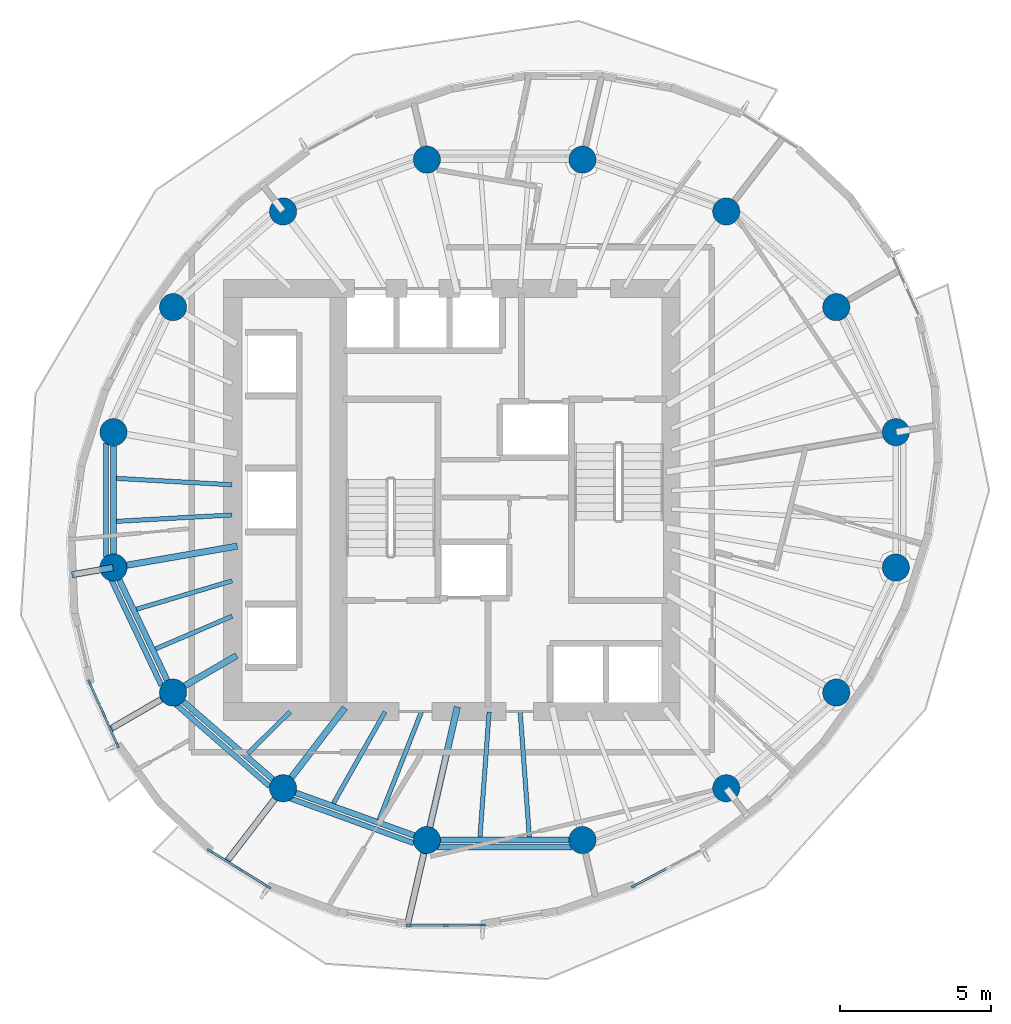
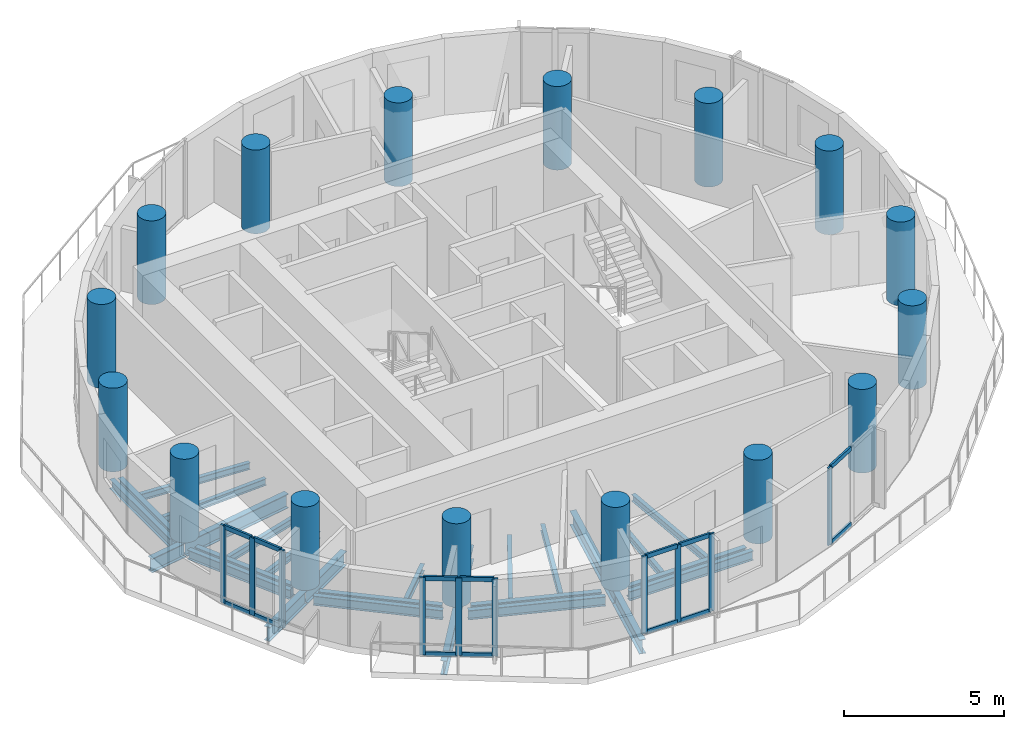
# One storey, part 1 of 10: 27 beams, 24 members, 16 columns, 4 elements without a shape of their own.
"""IFC4 building model written with IfcOpenShell, lengths in metres."""

from ifc_helpers import new_model, si_unit, direction, frame, origin, origin_2d, place, context, subcontext, project, spatial, rectangle, circle, i_section, extrude, material, material_profile, profile_set, type_object, element, aggregate, save


model = new_model("IFC4")

# Units and contexts
model_context = context("Model", 3, precision=1e-05, world=origin(), true_north=direction((0.0, 1.0)))
body_context = subcontext(model_context, "Body", "Model", "MODEL_VIEW")
ifc_project = project(units=[si_unit("LENGTHUNIT", "METRE"), si_unit("AREAUNIT", "SQUARE_METRE"), si_unit("VOLUMEUNIT", "CUBIC_METRE"), si_unit("PLANEANGLEUNIT", "RADIAN"), si_unit("MASSUNIT", "GRAM", prefix="KILO")], contexts=[model_context])

# Site, building, storey
site_placement = place(None, origin())
site = spatial("IfcSite", under=ifc_project, at=site_placement, CompositionType="ELEMENT")
building_placement = place(site_placement, origin())
building = spatial("IfcBuilding", under=site, at=building_placement, Name="Veldorim Arch Residences", CompositionType="ELEMENT")
storey_placement = place(building_placement, frame((0.0, 0.0, 166.239990234375)))
storey = spatial("IfcBuildingStorey", under=building, at=storey_placement, Name="L49", CompositionType="ELEMENT", Elevation=166.239990234375)

# Columns
ifc_material_1 = material(Name="Concrete C50/60", Category="concrete")
ifc_material_profile_1 = material_profile(ifc_material_1, circle(Radius=0.449951171875, at=origin_2d()), Name="RC_CIRC_900")
ifc_profile_set_1 = profile_set([ifc_material_profile_1], Name="Concrete C50/60")
column_type = type_object("IfcColumnType", Name="Structural Column RC_CIRC_900", PredefinedType="COLUMN", material=ifc_profile_set_1)
for number, where, z_axis, x_axis, name in (
    (1, (44.9462890625, 26.239501953125, 0.0), (0.0, 0.0, 1.0), (1.0, 0.0, 0.0), "L49 TC-Z4-01 perimeter column"),
    (2, (42.975341796875, 30.3779296875, 0.0), (0.0, 0.0, 1.0), (1.0, 0.0, 0.0), "L49 TC-Z4-02 perimeter column"),
    (3, (39.33349609375, 33.54541015625, 0.0), (0.0, 0.0, 1.0), (1.0, 0.0, 0.0), "L49 TC-Z4-03 perimeter column"),
    (4, (34.5751953125, 35.259521484375, 0.0), (0.0, 0.0, 1.0), (1.0, 0.0, 0.0), "L49 TC-Z4-04 perimeter column"),
    (5, (29.4248046875, 35.259521484375, 0.0), (0.0, 0.0, 1.0), (1.0, 0.0, 0.0), "L49 TC-Z4-05 perimeter column"),
    (6, (24.66650390625, 33.54541015625, 0.0), (0.0, 0.0, 1.0), (1.0, 0.0, 0.0), "L49 TC-Z4-06 perimeter column"),
    (7, (21.024658203125, 30.3779296875, 0.0), (0.0, 0.0, 1.0), (1.0, 0.0, 0.0), "L49 TC-Z4-07 perimeter column"),
    (8, (19.0537109375, 26.239501953125, 0.0), (0.0, 0.0, 1.0), (1.0, 0.0, 0.0), "L49 TC-Z4-08 perimeter column"),
    (9, (19.0537109375, 21.760498046875, 0.0), (0.0, 0.0, 1.0), (1.0, 0.0, 0.0), "L49 TC-Z4-09 perimeter column"),
    (10, (21.024658203125, 17.6220703125, 0.0), (0.0, 0.0, 1.0), (1.0, 0.0, 0.0), "L49 TC-Z4-10 perimeter column"),
    (11, (24.66650390625, 14.45458984375, 0.0), (0.0, 0.0, 1.0), (1.0, 0.0, 0.0), "L49 TC-Z4-11 perimeter column"),
    (12, (29.4248046875, 12.740478515625, 0.0), (0.0, 0.0, 1.0), (1.0, 0.0, 0.0), "L49 TC-Z4-12 perimeter column"),
    (13, (34.5751953125, 12.740478515625, 0.0), (0.0, 0.0, 1.0), (1.0, 0.0, 0.0), "L49 TC-Z4-13 perimeter column"),
    (14, (39.33349609375, 14.45458984375, 0.0), (0.0, 0.0, 1.0), (1.0, 0.0, 0.0), "L49 TC-Z4-14 perimeter column"),
    (15, (42.975341796875, 17.6220703125, 0.0), (0.0, 0.0, 1.0), (1.0, 0.0, 0.0), "L49 TC-Z4-15 perimeter column"),
    (16, (44.9462890625, 21.760498046875, 0.0), (0.0, 0.0, 1.0), (1.0, 0.0, 0.0), "L49 TC-Z4-16 perimeter column"),
):
    element("IfcColumn", number, at=place(storey_placement, frame(where, z_axis=z_axis, x_axis=x_axis)), inside=storey, type_object=column_type, Name=name, PredefinedType="COLUMN", context=body_context, shape_type="SweptSolid", body=[
        extrude(circle(Radius=0.449951171875, at=origin_2d()), origin(), (0.0, 0.0, 1.0), 3.199951171875),
    ])

# Beams
ifc_material_2 = material(Name="Steel S355", Category="steel")
ifc_material_profile_2 = material_profile(ifc_material_2, i_section(OverallWidth=0.2119140625, OverallDepth=0.54443359375, WebThickness=0.0126953125, FlangeThickness=0.021240234375, at=origin_2d()), Name="UB533x210x122")
ifc_profile_set_2 = profile_set([ifc_material_profile_2], Name="Steel S355")
beam_type_1 = type_object("IfcBeamType", Name="Structural Steel Beam UB533x210x122", PredefinedType="BEAM", material=ifc_profile_set_2)
beam_1_placement = place(storey_placement, frame((23.147705078125, 22.46875, -0.51220703125), z_axis=(-0.985365193997, -0.170456547131, 0.0), x_axis=(0.170456547131, -0.985365193997, 0.0)))
element("IfcBeam", 17, at=beam_1_placement, inside=storey, type_object=beam_type_1, Name="L49 radial floor girder 09", PredefinedType="BEAM", context=body_context, shape_type="SweptSolid", body=[
    extrude(i_section(OverallWidth=0.2119140625, OverallDepth=0.54443359375, WebThickness=0.0126953125, FlangeThickness=0.021240234375, at=origin_2d()), origin(), (0.0, 0.0, 1.0), 4.135009765625),
])
beam_2_placement = place(storey_placement, frame((19.033935546875, 21.757080078125, -0.51220703125), z_axis=(-0.985349360006, -0.170548054035, 0.0), x_axis=(0.170548054035, -0.985349360006, 0.0)))
element("IfcBeam", 18, at=beam_2_placement, inside=storey, type_object=beam_type_1, Name="L49 radial edge cantilever girder 09", PredefinedType="BEAM", context=body_context, shape_type="SweptSolid", body=[
    extrude(i_section(OverallWidth=0.2119140625, OverallDepth=0.54443359375, WebThickness=0.0126953125, FlangeThickness=0.021240234375, at=origin_2d()), origin(), (0.0, 0.0, 1.0), 1.377197265625),
])
beam_3_placement = place(storey_placement, frame((23.129638671875, 18.845458984375, -0.51220703125), z_axis=(-0.86457358994, -0.502506226407, 0.0), x_axis=(0.502506226407, -0.86457358994, 0.0)))
element("IfcBeam", 19, at=beam_3_placement, inside=storey, type_object=beam_type_1, Name="L49 radial floor girder 10", PredefinedType="BEAM", context=body_context, shape_type="SweptSolid", body=[
    extrude(i_section(OverallWidth=0.2119140625, OverallDepth=0.54443359375, WebThickness=0.0126953125, FlangeThickness=0.021240234375, at=origin_2d()), origin(), (0.0, 0.0, 1.0), 2.41455078125),
])
beam_4_placement = place(storey_placement, frame((21.00732421875, 17.612060546875, -0.51220703125), z_axis=(-0.864610127671, -0.502443357135, 0.0), x_axis=(0.502443357135, -0.864610127671, 0.0)))
element("IfcBeam", 20, at=beam_4_placement, inside=storey, type_object=beam_type_1, Name="L49 radial edge cantilever girder 10", PredefinedType="BEAM", context=body_context, shape_type="SweptSolid", body=[
    extrude(i_section(OverallWidth=0.2119140625, OverallDepth=0.54443359375, WebThickness=0.0126953125, FlangeThickness=0.021240234375, at=origin_2d()), origin(), (0.0, 0.0, 1.0), 2.372314453125),
])
beam_5_placement = place(storey_placement, frame((26.71337890625, 17.118896484375, -0.51220703125), z_axis=(-0.609258442308, -0.792971721108, 0.0), x_axis=(0.792971721108, -0.609258442308, 0.0)))
element("IfcBeam", 21, at=beam_5_placement, inside=storey, type_object=beam_type_1, Name="L49 radial floor girder 11", PredefinedType="BEAM", context=body_context, shape_type="SweptSolid", body=[
    extrude(i_section(OverallWidth=0.2119140625, OverallDepth=0.54443359375, WebThickness=0.0126953125, FlangeThickness=0.021240234375, at=origin_2d()), origin(), (0.0, 0.0, 1.0), 3.339599609375),
])
beam_6_placement = place(storey_placement, frame((24.654296875, 14.438720703125, -0.51220703125), z_axis=(-0.609245785417, -0.792981445528, 0.0), x_axis=(0.792981445528, -0.609245785417, 0.0)))
element("IfcBeam", 22, at=beam_6_placement, inside=storey, type_object=beam_type_1, Name="L49 radial edge cantilever girder 11", PredefinedType="BEAM", context=body_context, shape_type="SweptSolid", body=[
    extrude(i_section(OverallWidth=0.2119140625, OverallDepth=0.54443359375, WebThickness=0.0126953125, FlangeThickness=0.021240234375, at=origin_2d()), origin(), (0.0, 0.0, 1.0), 3.020263671875),
])
beam_7_placement = place(storey_placement, frame((30.432373046875, 17.146240234375, -0.51220703125), z_axis=(-0.222952976993, -0.97482920045, 0.0), x_axis=(0.97482920045, -0.222952976993, 0.0)))
element("IfcBeam", 23, at=beam_7_placement, inside=storey, type_object=beam_type_1, Name="L49 radial floor girder 12", PredefinedType="BEAM", context=body_context, shape_type="SweptSolid", body=[
    extrude(i_section(OverallWidth=0.2119140625, OverallDepth=0.54443359375, WebThickness=0.0126953125, FlangeThickness=0.021240234375, at=origin_2d()), origin(), (0.0, 0.0, 1.0), 4.49951171875),
])
beam_8_placement = place(storey_placement, frame((29.42041015625, 12.72119140625, -0.51220703125), z_axis=(-0.222975521586, -0.974824044007, 0.0), x_axis=(0.974824044007, -0.222975521586, 0.0)))
element("IfcBeam", 24, at=beam_8_placement, inside=storey, type_object=beam_type_1, Name="L49 radial edge cantilever girder 12", PredefinedType="BEAM", context=body_context, shape_type="SweptSolid", body=[
    extrude(i_section(OverallWidth=0.2119140625, OverallDepth=0.54443359375, WebThickness=0.0126953125, FlangeThickness=0.021240234375, at=origin_2d()), origin(), (0.0, 0.0, 1.0), 2.85888671875),
])
ifc_material_3 = material(Name="Steel S355", Category="steel")
ifc_material_profile_3 = material_profile(ifc_material_3, i_section(OverallWidth=0.146484375, OverallDepth=0.256103515625, WebThickness=0.00634765625, FlangeThickness=0.010986328125, at=origin_2d()), Name="UB254x146x37")
ifc_profile_set_3 = profile_set([ifc_material_profile_3], Name="Steel S355")
beam_type_2 = type_object("IfcBeamType", Name="Structural Steel Joist UB254x146x37", PredefinedType="JOIST", material=ifc_profile_set_3)
for number, where, z_axis, x_axis, name in (
    (25, (22.97998046875, 24.499267578125, -0.367919921875), (-0.998470527429, 0.055286579345, 0.0), (-0.055286579345, -0.998470527429, 0.0), "L49 secondary radial floor joist 08-1"),
    (26, (22.97998046875, 23.500732421875, -0.367919921875), (-0.998470527429, -0.055286579345, 0.0), (0.055286579345, -0.998470527429, 0.0), "L49 secondary radial floor joist 08-2"),
):
    element("IfcBeam", number, at=place(storey_placement, frame(where, z_axis=z_axis, x_axis=x_axis)), inside=storey, type_object=beam_type_2, Name=name, PredefinedType="JOIST", context=body_context, shape_type="SweptSolid", body=[
        extrude(i_section(OverallWidth=0.146484375, OverallDepth=0.256103515625, WebThickness=0.00634765625, FlangeThickness=0.010986328125, at=origin_2d()), origin(), (0.0, 0.0, 1.0), 3.8330078125),
    ])
beam_9_placement = place(storey_placement, frame((22.980712890625, 21.32080078125, -0.367919921875), z_axis=(-0.958596993625, -0.284766226601, 0.0), x_axis=(0.284766226601, -0.958596993625, 0.0)))
element("IfcBeam", 27, at=beam_9_placement, inside=storey, type_object=beam_type_2, Name="L49 secondary radial floor joist 09-1", PredefinedType="JOIST", context=body_context, shape_type="SweptSolid", body=[
    extrude(i_section(OverallWidth=0.146484375, OverallDepth=0.256103515625, WebThickness=0.00634765625, FlangeThickness=0.010986328125, at=origin_2d()), origin(), (0.0, 0.0, 1.0), 3.298095703125),
])
beam_10_placement = place(storey_placement, frame((22.981689453125, 20.150390625, -0.367919921875), z_axis=(-0.919739383422, -0.392529574151, 0.0), x_axis=(0.392529574151, -0.919739383422, 0.0)))
element("IfcBeam", 28, at=beam_10_placement, inside=storey, type_object=beam_type_2, Name="L49 secondary radial floor joist 09-2", PredefinedType="JOIST", context=body_context, shape_type="SweptSolid", body=[
    extrude(i_section(OverallWidth=0.146484375, OverallDepth=0.256103515625, WebThickness=0.00634765625, FlangeThickness=0.010986328125, at=origin_2d()), origin(), (0.0, 0.0, 1.0), 2.757080078125),
])
beam_11_placement = place(storey_placement, frame((24.900390625, 16.98583984375, -0.367919921875), z_axis=(-0.71143147135, -0.702755477797, 0.0), x_axis=(0.702755477797, -0.71143147135, 0.0)))
element("IfcBeam", 29, at=beam_11_placement, inside=storey, type_object=beam_type_2, Name="L49 secondary radial floor joist 10-2", PredefinedType="JOIST", context=body_context, shape_type="SweptSolid", body=[
    extrude(i_section(OverallWidth=0.146484375, OverallDepth=0.256103515625, WebThickness=0.00634765625, FlangeThickness=0.010986328125, at=origin_2d()), origin(), (0.0, 0.0, 1.0), 1.9697265625),
])
beam_12_placement = place(storey_placement, frame((28.039794921875, 16.982666015625, -0.367919921875), z_axis=(-0.491452469585, -0.870904397818, 0.0), x_axis=(0.870904397818, -0.491452469585, 0.0)))
element("IfcBeam", 30, at=beam_12_placement, inside=storey, type_object=beam_type_2, Name="L49 secondary radial floor joist 11-1", PredefinedType="JOIST", context=body_context, shape_type="SweptSolid", body=[
    extrude(i_section(OverallWidth=0.146484375, OverallDepth=0.256103515625, WebThickness=0.00634765625, FlangeThickness=0.010986328125, at=origin_2d()), origin(), (0.0, 0.0, 1.0), 3.472412109375),
])
beam_13_placement = place(storey_placement, frame((29.24365234375, 16.9814453125, -0.367919921875), z_axis=(-0.365581383042, -0.930779379001, 0.0), x_axis=(0.930779379001, -0.365581383042, 0.0)))
element("IfcBeam", 31, at=beam_13_placement, inside=storey, type_object=beam_type_2, Name="L49 secondary radial floor joist 11-2", PredefinedType="JOIST", context=body_context, shape_type="SweptSolid", body=[
    extrude(i_section(OverallWidth=0.146484375, OverallDepth=0.256103515625, WebThickness=0.00634765625, FlangeThickness=0.010986328125, at=origin_2d()), origin(), (0.0, 0.0, 1.0), 3.83056640625),
])
for number, where, z_axis, x_axis, name in (
    (32, (31.486083984375, 16.97998046875, -0.367919921875), (-0.072985625899, -0.997332992742, 0.0), (0.997332992742, -0.072985625899, 0.0), "L49 secondary radial floor joist 12-1"),
    (33, (32.513916015625, 16.97998046875, -0.367919921875), (0.072985625899, -0.997332992742, 0.0), (0.997332992742, 0.072985625899, 0.0), "L49 secondary radial floor joist 12-2"),
):
    element("IfcBeam", number, at=place(storey_placement, frame(where, z_axis=z_axis, x_axis=x_axis)), inside=storey, type_object=beam_type_2, Name=name, PredefinedType="JOIST", context=body_context, shape_type="SweptSolid", body=[
        extrude(i_section(OverallWidth=0.146484375, OverallDepth=0.256103515625, WebThickness=0.00634765625, FlangeThickness=0.010986328125, at=origin_2d()), origin(), (0.0, 0.0, 1.0), 4.151123046875),
    ])
ifc_material_4 = material(Name="Steel S355", Category="steel")
ifc_material_profile_4 = material_profile(ifc_material_4, i_section(OverallWidth=0.172119140625, OverallDepth=0.35791015625, WebThickness=0.008056640625, FlangeThickness=0.012939453125, at=origin_2d()), Name="UB356x171x57")
ifc_profile_set_4 = profile_set([ifc_material_profile_4], Name="Steel S355")
beam_type_3 = type_object("IfcBeamType", Name="Structural Steel Spandrel UB356x171x57", PredefinedType="SPANDREL", material=ifc_profile_set_4)
beam_14_placement = place(storey_placement, frame((18.809814453125, 25.8857421875, -0.43896484375), z_axis=(0.0, -1.0, 0.0), x_axis=(1.0, 0.0, 0.0)))
element("IfcBeam", 34, at=beam_14_placement, inside=storey, type_object=beam_type_3, Name="L49 perimeter chord spandrel beam 08", PredefinedType="SPANDREL", context=body_context, shape_type="SweptSolid", body=[
    extrude(i_section(OverallWidth=0.172119140625, OverallDepth=0.35791015625, WebThickness=0.008056640625, FlangeThickness=0.012939453125, at=origin_2d()), origin(), (0.0, 0.0, 1.0), 3.771484375),
])
beam_15_placement = place(storey_placement, frame((18.9794921875, 21.3603515625, -0.43896484375), z_axis=(0.428408308939, -0.903585259304, 0.0), x_axis=(0.903585259304, 0.428408308939, 0.0)))
element("IfcBeam", 35, at=beam_15_placement, inside=storey, type_object=beam_type_3, Name="L49 perimeter chord spandrel beam 09", PredefinedType="SPANDREL", context=body_context, shape_type="SweptSolid", body=[
    extrude(i_section(OverallWidth=0.172119140625, OverallDepth=0.35791015625, WebThickness=0.008056640625, FlangeThickness=0.012939453125, at=origin_2d()), origin(), (0.0, 0.0, 1.0), 3.878662109375),
])
beam_16_placement = place(storey_placement, frame((21.108642578125, 17.237060546875, -0.43896484375), z_axis=(0.752847646119, -0.6581948205, 0.0), x_axis=(0.6581948205, 0.752847646119, 0.0)))
element("IfcBeam", 36, at=beam_16_placement, inside=storey, type_object=beam_type_3, Name="L49 perimeter chord spandrel beam 10", PredefinedType="SPANDREL", context=body_context, shape_type="SweptSolid", body=[
    extrude(i_section(OverallWidth=0.172119140625, OverallDepth=0.35791015625, WebThickness=0.008056640625, FlangeThickness=0.012939453125, at=origin_2d()), origin(), (0.0, 0.0, 1.0), 4.12939453125),
])
beam_17_placement = place(storey_placement, frame((24.887939453125, 14.12353515625, -0.43896484375), z_axis=(0.940164695555, -0.340720332871, 0.0), x_axis=(0.340720332871, 0.940164695555, 0.0)))
element("IfcBeam", 37, at=beam_17_placement, inside=storey, type_object=beam_type_3, Name="L49 perimeter chord spandrel beam 11", PredefinedType="SPANDREL", context=body_context, shape_type="SweptSolid", body=[
    extrude(i_section(OverallWidth=0.172119140625, OverallDepth=0.35791015625, WebThickness=0.008056640625, FlangeThickness=0.012939453125, at=origin_2d()), origin(), (0.0, 0.0, 1.0), 4.370849609375),
])
beam_18_placement = place(storey_placement, frame((29.765625, 12.499267578125, -0.43896484375), z_axis=(1.0, 0.0, 0.0), x_axis=(0.0, 1.0, 0.0)))
element("IfcBeam", 38, at=beam_18_placement, inside=storey, type_object=beam_type_3, Name="L49 perimeter chord spandrel beam 12", PredefinedType="SPANDREL", context=body_context, shape_type="SweptSolid", body=[
    extrude(i_section(OverallWidth=0.172119140625, OverallDepth=0.35791015625, WebThickness=0.008056640625, FlangeThickness=0.012939453125, at=origin_2d()), origin(), (0.0, 0.0, 1.0), 4.46875),
])
ifc_material_5 = material(Name="Steel S355", Category="steel")
ifc_material_profile_5 = material_profile(ifc_material_5, i_section(OverallWidth=0.19140625, OverallDepth=0.4599609375, WebThickness=0.010009765625, FlangeThickness=0.01611328125, at=origin_2d()), Name="UB457x191x82")
ifc_profile_set_5 = profile_set([ifc_material_profile_5], Name="Steel S355")
beam_type_4 = type_object("IfcBeamType", Name="Structural Steel Spandrel UB457x191x82", PredefinedType="SPANDREL", material=ifc_profile_set_5)
beam_19_placement = place(storey_placement, frame((19.0537109375, 25.78955078125, -0.469970703125), z_axis=(0.0, -1.0, 0.0), x_axis=(1.0, 0.0, 0.0)))
element("IfcBeam", 39, at=beam_19_placement, inside=storey, type_object=beam_type_4, Name="L49 perimeter ring tie beam 08", PredefinedType="SPANDREL", context=body_context, shape_type="SweptSolid", body=[
    extrude(i_section(OverallWidth=0.19140625, OverallDepth=0.4599609375, WebThickness=0.010009765625, FlangeThickness=0.01611328125, at=origin_2d()), origin(), (0.0, 0.0, 1.0), 3.5791015625),
])
beam_20_placement = place(storey_placement, frame((19.2470703125, 21.35400390625, -0.469970703125), z_axis=(0.430005613988, -0.902826213586, 0.0), x_axis=(0.902826213586, 0.430005613988, 0.0)))
element("IfcBeam", 40, at=beam_20_placement, inside=storey, type_object=beam_type_4, Name="L49 perimeter ring tie beam 09", PredefinedType="SPANDREL", context=body_context, shape_type="SweptSolid", body=[
    extrude(i_section(OverallWidth=0.19140625, OverallDepth=0.4599609375, WebThickness=0.010009765625, FlangeThickness=0.01611328125, at=origin_2d()), origin(), (0.0, 0.0, 1.0), 3.68359375),
])
beam_21_placement = place(storey_placement, frame((21.364013671875, 17.326904296875, -0.469970703125), z_axis=(0.754545285701, -0.656247980436, 0.0), x_axis=(0.656247980436, 0.754545285701, 0.0)))
element("IfcBeam", 41, at=beam_21_placement, inside=storey, type_object=beam_type_4, Name="L49 perimeter ring tie beam 10", PredefinedType="SPANDREL", context=body_context, shape_type="SweptSolid", body=[
    extrude(i_section(OverallWidth=0.19140625, OverallDepth=0.4599609375, WebThickness=0.010009765625, FlangeThickness=0.01611328125, at=origin_2d()), origin(), (0.0, 0.0, 1.0), 3.9267578125),
])
beam_22_placement = place(storey_placement, frame((25.08984375, 14.30224609375, -0.469970703125), z_axis=(0.940811035395, -0.338931550137, 0.0), x_axis=(0.338931550137, 0.940811035395, 0.0)))
element("IfcBeam", 42, at=beam_22_placement, inside=storey, type_object=beam_type_4, Name="L49 perimeter ring tie beam 11", PredefinedType="SPANDREL", context=body_context, shape_type="SweptSolid", body=[
    extrude(i_section(OverallWidth=0.19140625, OverallDepth=0.4599609375, WebThickness=0.010009765625, FlangeThickness=0.01611328125, at=origin_2d()), origin(), (0.0, 0.0, 1.0), 4.15771484375),
])
beam_23_placement = place(storey_placement, frame((29.874755859375, 12.740478515625, -0.469970703125), z_axis=(1.0, 0.0, 0.0), x_axis=(0.0, 1.0, 0.0)))
element("IfcBeam", 43, at=beam_23_placement, inside=storey, type_object=beam_type_4, Name="L49 perimeter ring tie beam 12", PredefinedType="SPANDREL", context=body_context, shape_type="SweptSolid", body=[
    extrude(i_section(OverallWidth=0.19140625, OverallDepth=0.4599609375, WebThickness=0.010009765625, FlangeThickness=0.01611328125, at=origin_2d()), origin(), (0.0, 0.0, 1.0), 4.25048828125),
])

# Curtain wall, members
ifc_material_6 = material(Name="Aluminium", Category="aluminium")
curtain_wall_type = type_object("IfcCurtainWallType", Name="Zone 4 High-Altitude Unitised Curtain Wall", PredefinedType="NOTDEFINED", material=ifc_material_6)
curtain_wall_1_placement = place(storey_placement, origin())
curtain_wall_1 = element("IfcCurtainWall", 44, at=curtain_wall_1_placement, inside=storey, type_object=curtain_wall_type, Name="L49 unitised curtain wall bay 17", PredefinedType="NOTDEFINED")
ifc_material_7 = material(Name="Aluminium", Category="aluminium")
ifc_material_profile_6 = material_profile(ifc_material_7, rectangle(XDim=0.074951171875, YDim=0.195068359375, at=origin_2d()), Name="ALU_MUL_75x195")
ifc_profile_set_6 = profile_set([ifc_material_profile_6], Name="Aluminium")
member_type_1 = type_object("IfcMemberType", Name="Zone 4 High-Altitude Unitised Curtain Wall Mullion 75x195", PredefinedType="MULLION", material=ifc_profile_set_6)
member_1_placement = place(storey_placement, frame((19.185791015625, 15.882568359375, 0.0), z_axis=(0.0, 0.0, 1.0), x_axis=(-0.913308311578, -0.407268864514, 0.0)))
member_1 = element("IfcMember", 45, at=member_1_placement, type_object=member_type_1, Name="CW-Z4 mullion 1", PredefinedType="MULLION", context=body_context, shape_type="SweptSolid", body=[
    extrude(rectangle(XDim=0.074951171875, YDim=0.195068359375, at=origin_2d()), origin(), (0.0, 0.0, 1.0), 2.9599609375),
])
member_2_placement = place(storey_placement, frame((18.72314453125, 16.919921875, 0.0), z_axis=(0.0, 0.0, 1.0), x_axis=(-0.913308311578, -0.407268864514, 0.0)))
member_2 = element("IfcMember", 46, at=member_2_placement, type_object=member_type_1, Name="CW-Z4 mullion 2", PredefinedType="MULLION", context=body_context, shape_type="SweptSolid", body=[
    extrude(rectangle(XDim=0.074951171875, YDim=0.195068359375, at=origin_2d()), origin(), (0.0, 0.0, 1.0), 2.9599609375),
])
member_3_placement = place(storey_placement, frame((18.260498046875, 17.957275390625, 0.0), z_axis=(0.0, 0.0, 1.0), x_axis=(-0.913308311578, -0.407268864514, 0.0)))
member_3 = element("IfcMember", 47, at=member_3_placement, type_object=member_type_1, Name="CW-Z4 mullion 3", PredefinedType="MULLION", context=body_context, shape_type="SweptSolid", body=[
    extrude(rectangle(XDim=0.074951171875, YDim=0.195068359375, at=origin_2d()), origin(), (0.0, 0.0, 1.0), 2.9599609375),
])

curtain_wall_2_placement = place(storey_placement, origin())
curtain_wall_2 = element("IfcCurtainWall", 48, at=curtain_wall_2_placement, inside=storey, type_object=curtain_wall_type, Name="L49 unitised curtain wall bay 20", PredefinedType="NOTDEFINED")
member_4_placement = place(storey_placement, frame((24.17529296875, 11.19140625, 0.0), z_axis=(0.0, 0.0, 1.0), x_axis=(-0.525637112191, -0.850708896326, 0.0)))
member_4 = element("IfcMember", 49, at=member_4_placement, type_object=member_type_1, Name="CW-Z4 mullion 1", PredefinedType="MULLION", context=body_context, shape_type="SweptSolid", body=[
    extrude(rectangle(XDim=0.074951171875, YDim=0.195068359375, at=origin_2d()), origin(), (0.0, 0.0, 1.0), 2.9599609375),
])
member_5_placement = place(storey_placement, frame((23.208984375, 11.78857421875, 0.0), z_axis=(0.0, 0.0, 1.0), x_axis=(-0.525637112191, -0.850708896326, 0.0)))
member_5 = element("IfcMember", 50, at=member_5_placement, type_object=member_type_1, Name="CW-Z4 mullion 2", PredefinedType="MULLION", context=body_context, shape_type="SweptSolid", body=[
    extrude(rectangle(XDim=0.074951171875, YDim=0.195068359375, at=origin_2d()), origin(), (0.0, 0.0, 1.0), 2.9599609375),
])
member_6_placement = place(storey_placement, frame((22.24267578125, 12.385498046875, 0.0), z_axis=(0.0, 0.0, 1.0), x_axis=(-0.525637112191, -0.850708896326, 0.0)))
member_6 = element("IfcMember", 51, at=member_6_placement, type_object=member_type_1, Name="CW-Z4 mullion 3", PredefinedType="MULLION", context=body_context, shape_type="SweptSolid", body=[
    extrude(rectangle(XDim=0.074951171875, YDim=0.195068359375, at=origin_2d()), origin(), (0.0, 0.0, 1.0), 2.9599609375),
])

curtain_wall_3_placement = place(storey_placement, origin())
curtain_wall_3 = element("IfcCurtainWall", 52, at=curtain_wall_3_placement, inside=storey, type_object=curtain_wall_type, Name="L49 unitised curtain wall bay 23", PredefinedType="NOTDEFINED")
member_7_placement = place(storey_placement, frame((31.26416015625, 9.926513671875, 0.0), z_axis=(0.0, 0.0, 1.0), x_axis=(0.002677634077, -0.999996415131, 0.0)))
member_7 = element("IfcMember", 53, at=member_7_placement, type_object=member_type_1, Name="CW-Z4 mullion 1", PredefinedType="MULLION", context=body_context, shape_type="SweptSolid", body=[
    extrude(rectangle(XDim=0.074951171875, YDim=0.195068359375, at=origin_2d()), origin(), (0.0, 0.0, 1.0), 2.9599609375),
])
member_8_placement = place(storey_placement, frame((30.050537109375, 9.92333984375, 0.0), z_axis=(0.0, 0.0, 1.0), x_axis=(0.002677634077, -0.999996415131, 0.0)))
member_8 = element("IfcMember", 54, at=member_8_placement, type_object=member_type_1, Name="CW-Z4 mullion 2", PredefinedType="MULLION", context=body_context, shape_type="SweptSolid", body=[
    extrude(rectangle(XDim=0.074951171875, YDim=0.195068359375, at=origin_2d()), origin(), (0.0, 0.0, 1.0), 2.9599609375),
])
member_9_placement = place(storey_placement, frame((28.8369140625, 9.919921875, 0.0), z_axis=(0.0, 0.0, 1.0), x_axis=(0.002677634077, -0.999996415131, 0.0)))
member_9 = element("IfcMember", 55, at=member_9_placement, type_object=member_type_1, Name="CW-Z4 mullion 3", PredefinedType="MULLION", context=body_context, shape_type="SweptSolid", body=[
    extrude(rectangle(XDim=0.074951171875, YDim=0.195068359375, at=origin_2d()), origin(), (0.0, 0.0, 1.0), 2.9599609375),
])

# Curtain wall, member
curtain_wall_4_placement = place(storey_placement, origin())
curtain_wall_4 = element("IfcCurtainWall", 56, at=curtain_wall_4_placement, inside=storey, type_object=curtain_wall_type, Name="L49 unitised curtain wall bay 26", PredefinedType="NOTDEFINED")
member_10_placement = place(storey_placement, frame((36.283935546875, 11.224853515625, 0.0), z_axis=(0.0, 0.0, 1.0), x_axis=(0.470186448073, -0.882567110223, 0.0)))
member_10 = element("IfcMember", 57, at=member_10_placement, type_object=member_type_1, Name="CW-Z4 mullion 3", PredefinedType="MULLION", context=body_context, shape_type="SweptSolid", body=[
    extrude(rectangle(XDim=0.074951171875, YDim=0.195068359375, at=origin_2d()), origin(), (0.0, 0.0, 1.0), 2.9599609375),
])

# Member
ifc_material_8 = material(Name="Aluminium", Category="aluminium")
ifc_material_profile_7 = material_profile(ifc_material_8, rectangle(XDim=0.074951171875, YDim=0.1650390625, at=origin_2d()), Name="ALU_TRN_75x165")
ifc_profile_set_7 = profile_set([ifc_material_profile_7], Name="Aluminium")
member_type_2 = type_object("IfcMemberType", Name="Zone 4 High-Altitude Unitised Curtain Wall Transom 75x165", PredefinedType="USERDEFINED", material=ifc_profile_set_7)
member_11_placement = place(storey_placement, frame((19.170654296875, 15.916748046875, 0.03759765625), z_axis=(-0.407291054764, 0.913298416022, 0.0), x_axis=(-0.913298416022, -0.407291054764, 0.0)))
member_11 = element("IfcMember", 58, at=member_11_placement, type_object=member_type_2, Name="CW-Z4 transom 1.1", ObjectType="TRANSOM", PredefinedType="USERDEFINED", context=body_context, shape_type="SweptSolid", body=[
    extrude(rectangle(XDim=0.074951171875, YDim=0.1650390625, at=origin_2d()), origin(), (0.0, 0.0, 1.0), 1.06103515625),
])

member_12_placement = place(storey_placement, frame((19.170654296875, 15.916748046875, 2.922607421875), z_axis=(-0.407291054764, 0.913298416022, 0.0), x_axis=(-0.913298416022, -0.407291054764, 0.0)))
member_12 = element("IfcMember", 59, at=member_12_placement, type_object=member_type_2, Name="CW-Z4 transom 1.2", ObjectType="TRANSOM", PredefinedType="USERDEFINED", context=body_context, shape_type="SweptSolid", body=[
    extrude(rectangle(XDim=0.074951171875, YDim=0.1650390625, at=origin_2d()), origin(), (0.0, 0.0, 1.0), 1.06103515625),
])

member_13_placement = place(storey_placement, frame((18.7080078125, 16.9541015625, 0.03759765625), z_axis=(-0.407291054764, 0.913298416022, 0.0), x_axis=(-0.913298416022, -0.407291054764, 0.0)))
member_13 = element("IfcMember", 60, at=member_13_placement, type_object=member_type_2, Name="CW-Z4 transom 2.1", ObjectType="TRANSOM", PredefinedType="USERDEFINED", context=body_context, shape_type="SweptSolid", body=[
    extrude(rectangle(XDim=0.074951171875, YDim=0.1650390625, at=origin_2d()), origin(), (0.0, 0.0, 1.0), 1.06103515625),
])

member_14_placement = place(storey_placement, frame((18.7080078125, 16.9541015625, 2.922607421875), z_axis=(-0.407291054764, 0.913298416022, 0.0), x_axis=(-0.913298416022, -0.407291054764, 0.0)))
member_14 = element("IfcMember", 61, at=member_14_placement, type_object=member_type_2, Name="CW-Z4 transom 2.2", ObjectType="TRANSOM", PredefinedType="USERDEFINED", context=body_context, shape_type="SweptSolid", body=[
    extrude(rectangle(XDim=0.074951171875, YDim=0.1650390625, at=origin_2d()), origin(), (0.0, 0.0, 1.0), 1.06103515625),
])

aggregate(curtain_wall_1, [member_1, member_2, member_3, member_11, member_12, member_13, member_14])

member_15_placement = place(storey_placement, frame((24.1435546875, 11.211181640625, 0.03759765625), z_axis=(-0.850740499179, 0.525585961624, 0.0), x_axis=(-0.525585961624, -0.850740499179, 0.0)))
member_15 = element("IfcMember", 62, at=member_15_placement, type_object=member_type_2, Name="CW-Z4 transom 1.1", ObjectType="TRANSOM", PredefinedType="USERDEFINED", context=body_context, shape_type="SweptSolid", body=[
    extrude(rectangle(XDim=0.074951171875, YDim=0.1650390625, at=origin_2d()), origin(), (0.0, 0.0, 1.0), 1.06103515625),
])

member_16_placement = place(storey_placement, frame((24.1435546875, 11.211181640625, 2.922607421875), z_axis=(-0.850740499179, 0.525585961624, 0.0), x_axis=(-0.525585961624, -0.850740499179, 0.0)))
member_16 = element("IfcMember", 63, at=member_16_placement, type_object=member_type_2, Name="CW-Z4 transom 1.2", ObjectType="TRANSOM", PredefinedType="USERDEFINED", context=body_context, shape_type="SweptSolid", body=[
    extrude(rectangle(XDim=0.074951171875, YDim=0.1650390625, at=origin_2d()), origin(), (0.0, 0.0, 1.0), 1.06103515625),
])

member_17_placement = place(storey_placement, frame((23.17724609375, 11.80810546875, 0.03759765625), z_axis=(-0.850637601688, 0.525752480351, 0.0), x_axis=(-0.525752480351, -0.850637601688, 0.0)))
member_17 = element("IfcMember", 64, at=member_17_placement, type_object=member_type_2, Name="CW-Z4 transom 2.1", ObjectType="TRANSOM", PredefinedType="USERDEFINED", context=body_context, shape_type="SweptSolid", body=[
    extrude(rectangle(XDim=0.074951171875, YDim=0.1650390625, at=origin_2d()), origin(), (0.0, 0.0, 1.0), 1.06103515625),
])

member_18_placement = place(storey_placement, frame((23.17724609375, 11.80810546875, 2.922607421875), z_axis=(-0.850637601688, 0.525752480351, 0.0), x_axis=(-0.525752480351, -0.850637601688, 0.0)))
member_18 = element("IfcMember", 65, at=member_18_placement, type_object=member_type_2, Name="CW-Z4 transom 2.2", ObjectType="TRANSOM", PredefinedType="USERDEFINED", context=body_context, shape_type="SweptSolid", body=[
    extrude(rectangle(XDim=0.074951171875, YDim=0.1650390625, at=origin_2d()), origin(), (0.0, 0.0, 1.0), 1.06103515625),
])

aggregate(curtain_wall_2, [member_4, member_5, member_6, member_15, member_16, member_17, member_18])

member_19_placement = place(storey_placement, frame((31.2265625, 9.926513671875, 0.03759765625), z_axis=(-0.999996115482, -0.002787296205, 0.0), x_axis=(0.002787296205, -0.999996115482, 0.0)))
member_19 = element("IfcMember", 66, at=member_19_placement, type_object=member_type_2, Name="CW-Z4 transom 1.1", ObjectType="TRANSOM", PredefinedType="USERDEFINED", context=body_context, shape_type="SweptSolid", body=[
    extrude(rectangle(XDim=0.074951171875, YDim=0.1650390625, at=origin_2d()), origin(), (0.0, 0.0, 1.0), 1.138671875),
])

member_20_placement = place(storey_placement, frame((31.2265625, 9.926513671875, 2.922607421875), z_axis=(-0.999996115482, -0.002787296205, 0.0), x_axis=(0.002787296205, -0.999996115482, 0.0)))
member_20 = element("IfcMember", 67, at=member_20_placement, type_object=member_type_2, Name="CW-Z4 transom 1.2", ObjectType="TRANSOM", PredefinedType="USERDEFINED", context=body_context, shape_type="SweptSolid", body=[
    extrude(rectangle(XDim=0.074951171875, YDim=0.1650390625, at=origin_2d()), origin(), (0.0, 0.0, 1.0), 1.138671875),
])

member_21_placement = place(storey_placement, frame((30.012939453125, 9.923095703125, 0.03759765625), z_axis=(-0.999996688693, -0.002573442047, 0.0), x_axis=(0.002573442047, -0.999996688693, 0.0)))
member_21 = element("IfcMember", 68, at=member_21_placement, type_object=member_type_2, Name="CW-Z4 transom 2.1", ObjectType="TRANSOM", PredefinedType="USERDEFINED", context=body_context, shape_type="SweptSolid", body=[
    extrude(rectangle(XDim=0.074951171875, YDim=0.1650390625, at=origin_2d()), origin(), (0.0, 0.0, 1.0), 1.138427734375),
])

member_22_placement = place(storey_placement, frame((30.012939453125, 9.923095703125, 2.922607421875), z_axis=(-0.999996688693, -0.002573442047, 0.0), x_axis=(0.002573442047, -0.999996688693, 0.0)))
member_22 = element("IfcMember", 69, at=member_22_placement, type_object=member_type_2, Name="CW-Z4 transom 2.2", ObjectType="TRANSOM", PredefinedType="USERDEFINED", context=body_context, shape_type="SweptSolid", body=[
    extrude(rectangle(XDim=0.074951171875, YDim=0.1650390625, at=origin_2d()), origin(), (0.0, 0.0, 1.0), 1.138427734375),
])

aggregate(curtain_wall_3, [member_7, member_8, member_9, member_19, member_20, member_21, member_22])

member_23_placement = place(storey_placement, frame((37.386474609375, 11.812255859375, 0.03759765625), z_axis=(-0.882603828735, -0.470117518821, 0.0), x_axis=(0.470117518821, -0.882603828735, 0.0)))
member_23 = element("IfcMember", 70, at=member_23_placement, type_object=member_type_2, Name="CW-Z4 transom 2.1", ObjectType="TRANSOM", PredefinedType="USERDEFINED", context=body_context, shape_type="SweptSolid", body=[
    extrude(rectangle(XDim=0.074951171875, YDim=0.1650390625, at=origin_2d()), origin(), (0.0, 0.0, 1.0), 1.211669921875),
])

member_24_placement = place(storey_placement, frame((37.386474609375, 11.812255859375, 2.922607421875), z_axis=(-0.882603828735, -0.470117518821, 0.0), x_axis=(0.470117518821, -0.882603828735, 0.0)))
member_24 = element("IfcMember", 71, at=member_24_placement, type_object=member_type_2, Name="CW-Z4 transom 2.2", ObjectType="TRANSOM", PredefinedType="USERDEFINED", context=body_context, shape_type="SweptSolid", body=[
    extrude(rectangle(XDim=0.074951171875, YDim=0.1650390625, at=origin_2d()), origin(), (0.0, 0.0, 1.0), 1.211669921875),
])

aggregate(curtain_wall_4, [member_10, member_23, member_24])

save(model, "model.ifc")
